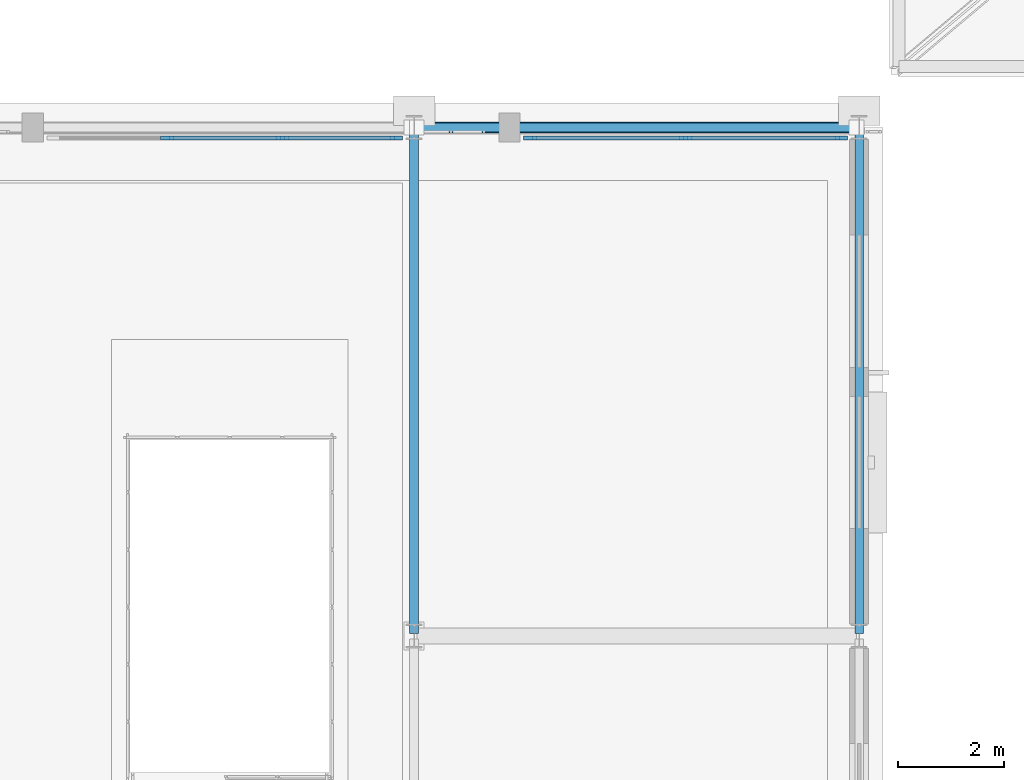
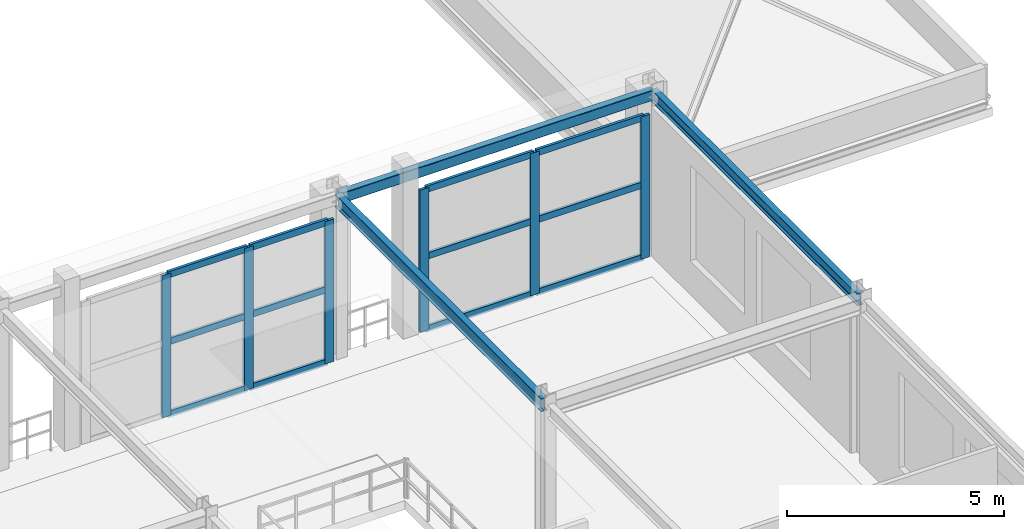
# One storey, part 55 of 125: 18 members, 3 beams, 2 elements without a shape of their own.
"""IFC4 building model written with IfcOpenShell, lengths in metres."""

import ifcopenshell
import ifcopenshell.guid

model = None  # the IFC model being written
_history = None  # IfcOwnerHistory: only IFC2X3 demands one
_inside = {}  # id of a spatial element -> (the spatial element, [elements in it])
_under = {}  # id of a project, library or spatial element -> (it, [spatial elements below it])
_declared = {}  # id of a project -> (the project, [libraries it declares])
_typed = {}  # id of a type object -> (the type object, [elements of that type])
_made_of = {}  # id of a material, layer set ... -> (it, [elements and type objects made of it])


def new_model(schema):
    """Start an empty IFC model of exactly this schema.

    Asked for "IFC4X3", IfcOpenShell would pick the latest addendum, in which some entities
    have other attributes; the version numbers below select the first issue.
    IFC2X3 requires an IfcOwnerHistory on every rooted entity: one is made here for all.
    """
    global model, _history
    if schema == "IFC4X3":
        model = ifcopenshell.file(schema_version=(4, 3, 0, 0))
    else:
        model = ifcopenshell.file(schema=schema)
    _inside.clear()
    _under.clear()
    _declared.clear()
    _typed.clear()
    _made_of.clear()
    _history = None
    if model.schema == "IFC2X3":
        org = make("IfcOrganization", Name="unknown")
        user = make(
            "IfcPersonAndOrganization",
            ThePerson=make("IfcPerson", FamilyName="unknown"),
            TheOrganization=org,
        )
        app = make(
            "IfcApplication",
            ApplicationDeveloper=org,
            Version="unknown",
            ApplicationFullName="unknown",
            ApplicationIdentifier="unknown",
        )
        _history = make(
            "IfcOwnerHistory",
            OwningUser=user,
            OwningApplication=app,
            ChangeAction="ADDED",
            CreationDate=0,
        )
    return model


def make(cls, **values):
    """One entity of the class cls with the attributes given. An attribute that is None is left unset."""
    return model.create_entity(
        cls, **{name: value for name, value in values.items() if value is not None}
    )


def rooted(cls, **values):
    """An entity with a GlobalId (a new one), such as an element, a storey or a relation."""
    return make(cls, GlobalId=ifcopenshell.guid.new(), OwnerHistory=_history, **values)


def si_unit(unit_type, name, prefix=None):
    """IfcSIUnit, for example si_unit("LENGTHUNIT", "METRE", prefix="MILLI")."""
    return make("IfcSIUnit", UnitType=unit_type, Prefix=prefix, Name=name)


def assignment(units):
    """IfcUnitAssignment: the units of a project."""
    return None if units is None else make("IfcUnitAssignment", Units=units)


def point(xyz):
    """IfcCartesianPoint."""
    return None if xyz is None else make("IfcCartesianPoint", Coordinates=xyz)


def direction(xyz):
    """IfcDirection."""
    return None if xyz is None else make("IfcDirection", DirectionRatios=xyz)


def frame(location, z_axis=None, x_axis=None):
    """IfcAxis2Placement3D, a coordinate frame: its origin and axes. An axis left out is left unset."""
    return make(
        "IfcAxis2Placement3D",
        Location=point(location),
        Axis=direction(z_axis),
        RefDirection=direction(x_axis),
    )


def frame_2d(location, x_axis=None):
    """IfcAxis2Placement2D, a coordinate frame in the plane: its origin and x axis."""
    return make(
        "IfcAxis2Placement2D", Location=point(location), RefDirection=direction(x_axis)
    )


def origin():
    """The frame at (0, 0, 0) with its axes left unset."""
    return frame((0.0, 0.0, 0.0))


def origin_2d():
    """The frame at (0, 0) in the plane with its x axis left unset."""
    return frame_2d((0.0, 0.0))


def place(relative_to, where):
    """IfcLocalPlacement: puts the frame where relative to a parent placement (None: the world)."""
    return make(
        "IfcLocalPlacement", PlacementRelTo=relative_to, RelativePlacement=where
    )


def context(
    kind, dimensions, precision=None, world=None, true_north=None, identifier=None
):
    """IfcGeometricRepresentationContext, for example the 3D "Model" context."""
    return make(
        "IfcGeometricRepresentationContext",
        ContextIdentifier=identifier,
        ContextType=kind,
        CoordinateSpaceDimension=dimensions,
        Precision=precision,
        WorldCoordinateSystem=world,
        TrueNorth=true_north,
    )


def subcontext(parent, identifier, kind, view, scale=None):
    """IfcGeometricRepresentationSubContext, for example "Body" below "Model"."""
    return make(
        "IfcGeometricRepresentationSubContext",
        ContextIdentifier=identifier,
        ContextType=kind,
        ParentContext=parent,
        TargetScale=scale,
        TargetView=view,
    )


def project(units=None, contexts=None):
    """IfcProject with its units and contexts."""
    return rooted(
        "IfcProject",
        Name="project",
        RepresentationContexts=contexts,
        UnitsInContext=assignment(units),
    )


def spatial(cls, under=None, at=None, **own):
    """A site, building, storey or space (cls), placed at a placement, below another one or the project."""
    s = rooted(cls, ObjectPlacement=at, **own)
    if under is not None:
        _under.setdefault(under.id(), (under, []))[1].append(s)
    return s


def profile(cls, at=None, kind="AREA", **sizes):
    """A parametric profile (cls). Its sizes go by their IFC names, for example OverallWidth=200.0."""
    return make(cls, ProfileType=kind, Position=at, **sizes)


def rectangle(**sizes):
    """IfcRectangleProfileDef."""
    return profile("IfcRectangleProfileDef", **sizes)


def hollow_rectangle(**sizes):
    """IfcRectangleHollowProfileDef."""
    return profile("IfcRectangleHollowProfileDef", **sizes)


def i_section(**sizes):
    """IfcIShapeProfileDef."""
    return profile("IfcIShapeProfileDef", **sizes)


def extrude(swept, where, along, depth):
    """IfcExtrudedAreaSolid: the profile swept, set in the frame where, extruded along a direction by depth."""
    return make(
        "IfcExtrudedAreaSolid",
        SweptArea=swept,
        Position=where,
        ExtrudedDirection=direction(along),
        Depth=depth,
    )


def shape(context_of_items, identifier, shape_type, items):
    """IfcShapeRepresentation: the items that make up one representation, for example the "Body"."""
    return make(
        "IfcShapeRepresentation",
        ContextOfItems=context_of_items,
        RepresentationIdentifier=identifier,
        RepresentationType=shape_type,
        Items=items,
    )


def material(Name=None, Category=None):
    """IfcMaterial."""
    return make("IfcMaterial", Name=Name, Category=Category)


def layer(
    of_material, thickness, ventilated=None, Name=None, Category=None, Priority=None
):
    """IfcMaterialLayer: one layer of a wall or slab, of a material (None: an air gap)."""
    return make(
        "IfcMaterialLayer",
        Material=of_material,
        LayerThickness=thickness,
        IsVentilated=ventilated,
        Name=Name,
        Category=Category,
        Priority=Priority,
    )


def layer_set(layers, Name=None):
    """IfcMaterialLayerSet."""
    return make("IfcMaterialLayerSet", MaterialLayers=layers, LayerSetName=Name)


def material_profile(
    of_material, cross_section, Name=None, Category=None, Priority=None
):
    """IfcMaterialProfile: a cross section and its material."""
    return make(
        "IfcMaterialProfile",
        Name=Name,
        Material=of_material,
        Profile=cross_section,
        Priority=Priority,
        Category=Category,
    )


def profile_set(profiles, Name=None, composite=None):
    """IfcMaterialProfileSet."""
    return make(
        "IfcMaterialProfileSet",
        Name=Name,
        MaterialProfiles=profiles,
        CompositeProfile=composite,
    )


def made_of(thing, what):
    """Note that an element or type object is made of a material, layer set ...; save() writes the relation."""
    if what is not None:
        _made_of.setdefault(what.id(), (what, []))[1].append(thing)
    return thing


def type_object(cls, material=None, **own):
    """A type object (cls), such as IfcWallType, which elements share."""
    return made_of(rooted(cls, **own), material)


def element(
    cls,
    number,
    at=None,
    inside=None,
    cuts=None,
    type_object=None,
    material=None,
    context=None,
    identifier="Body",
    shape_type=None,
    held_by="IfcProductDefinitionShape",
    body=None,
    shapes=None,
    **own,
):
    """One element of the class cls, such as IfcWall. Its Tag is "e" and its number.

    at: its placement. inside: the storey or other place that contains it. cuts: it is an
    opening in that element (IfcRelVoidsElement). A single representation is given by context,
    identifier, shape_type and body (its items); several are given by shapes. held_by: the class
    of the entity that holds the representations. save() writes the other relations.
    """
    e = rooted(cls, Tag="e%d" % number, ObjectPlacement=at, **own)
    if body is not None:
        shapes = [shape(context, identifier, shape_type, body)]
    if shapes is not None:
        e.Representation = make(held_by, Representations=shapes)
    if inside is not None:
        _inside.setdefault(inside.id(), (inside, []))[1].append(e)
    if cuts is not None:
        rooted(
            "IfcRelVoidsElement", RelatingBuildingElement=cuts, RelatedOpeningElement=e
        )
    if type_object is not None:
        _typed.setdefault(type_object.id(), (type_object, []))[1].append(e)
    return made_of(e, material)


def aggregate(whole, parts):
    """IfcRelAggregates: a whole, such as a stair, and the parts it consists of."""
    return rooted("IfcRelAggregates", RelatingObject=whole, RelatedObjects=parts)


def save(model, path):
    """Write the relations noted so far, then the file.

    IfcRelAggregates (storeys below a building ...), IfcRelContainedInSpatialStructure (elements
    in a storey), IfcRelDefinesByType, IfcRelAssociatesMaterial and IfcRelDeclares: one each for
    every whole, place, type object, material and project.
    """
    for whole, parts in _under.values():
        aggregate(whole, parts)
    for where, things in _inside.values():
        rooted(
            "IfcRelContainedInSpatialStructure",
            RelatedElements=things,
            RelatingStructure=where,
        )
    for kind, things in _typed.values():
        rooted("IfcRelDefinesByType", RelatedObjects=things, RelatingType=kind)
    for what, things in _made_of.values():
        rooted("IfcRelAssociatesMaterial", RelatedObjects=things, RelatingMaterial=what)
    for by, libraries in _declared.values():
        rooted("IfcRelDeclares", RelatingContext=by, RelatedDefinitions=libraries)
    model.write(path)


model = new_model("IFC4")

# Units and contexts
model_context = context("Model", 3, precision=1e-05, world=origin(), true_north=direction((0.0, 1.0)))
body_context = subcontext(model_context, "Body", "Model", "MODEL_VIEW")
ifc_project = project(units=[si_unit("LENGTHUNIT", "METRE"), si_unit("AREAUNIT", "SQUARE_METRE"), si_unit("VOLUMEUNIT", "CUBIC_METRE"), si_unit("PLANEANGLEUNIT", "RADIAN"), si_unit("MASSUNIT", "GRAM", prefix="KILO")], contexts=[model_context])

# Site, building, storey
site_placement = place(None, origin())
site = spatial("IfcSite", under=ifc_project, at=site_placement, CompositionType="ELEMENT")
building_placement = place(site_placement, origin())
building = spatial("IfcBuilding", under=site, at=building_placement, Name="Myrtia Square Station", CompositionType="ELEMENT")
storey_placement = place(building_placement, frame((0.0, 0.0, 6.0)))
storey = spatial("IfcBuildingStorey", under=building, at=storey_placement, Name="L01", CompositionType="ELEMENT", Elevation=6.0)

# Beams
ifc_material_1 = material(Name="Steel S355", Category="steel")
ifc_material_profile_1 = material_profile(ifc_material_1, i_section(OverallWidth=0.159912109375, OverallDepth=0.330078125, WebThickness=0.007568359375, FlangeThickness=0.011474609375, FilletRadius=0.01806640625, at=origin_2d()), Name="IPE 330")
ifc_profile_set_1 = profile_set([ifc_material_profile_1], Name="Steel S355")
beam_type_1 = type_object("IfcBeamType", Name="BM-IPE330", PredefinedType="BEAM", material=ifc_profile_set_1)
beam_1_placement = place(storey_placement, frame((179.39990234375, 28.85009765625, 4.3701171875), z_axis=(0.0, 1.0, 0.0), x_axis=(-1.0, 0.0, 0.0)))
element("IfcBeam", 1, at=beam_1_placement, inside=storey, type_object=beam_type_1, Name="Structural girder BMY-L01-0643", PredefinedType="BEAM", context=body_context, shape_type="SweptSolid", body=[
    extrude(i_section(OverallWidth=0.159912109375, OverallDepth=0.330078125, WebThickness=0.007568359375, FlangeThickness=0.011474609375, FilletRadius=0.01806640625, at=origin_2d()), origin(), (0.0, 0.0, 1.0), 9.5),
])
ifc_material_profile_2 = material_profile(ifc_material_1, i_section(OverallWidth=0.169921875, OverallDepth=0.360107421875, WebThickness=0.008056640625, FlangeThickness=0.0126953125, FilletRadius=0.01806640625, at=origin_2d()), Name="IPE 360")
ifc_profile_set_2 = profile_set([ifc_material_profile_2], Name="Steel S355")
beam_type_2 = type_object("IfcBeamType", Name="BM-IPE360", PredefinedType="BEAM", material=ifc_profile_set_2)
beam_2_placement = place(storey_placement, frame((171.0, 28.85009765625, 4.35498046875), z_axis=(0.0, 1.0, 0.0), x_axis=(-1.0, 0.0, 0.0)))
element("IfcBeam", 2, at=beam_2_placement, inside=storey, type_object=beam_type_2, Name="Structural girder BMY-L01-0639", PredefinedType="BEAM", context=body_context, shape_type="SweptSolid", body=[
    extrude(i_section(OverallWidth=0.169921875, OverallDepth=0.360107421875, WebThickness=0.008056640625, FlangeThickness=0.0126953125, FilletRadius=0.01806640625, at=origin_2d()), origin(), (0.0, 0.0, 1.0), 9.5),
])

# Curtain wall, members
ifc_material_2 = material(Name="Dark bronze anodised aluminium", Category="aluminium")
ifc_layer_1 = layer(ifc_material_2, 0.159912109375, Name="Dark bronze anodised aluminium")
ifc_layer_set_1 = layer_set([ifc_layer_1], Name="Dark bronze anodised aluminium")
curtain_wall_type_1 = type_object("IfcCurtainWallType", Name="CW-TYPE-26-655x400", PredefinedType="USERDEFINED", material=ifc_layer_set_1)
curtain_wall_1_placement = place(storey_placement, origin())
curtain_wall_1 = element("IfcCurtainWall", 3, at=curtain_wall_1_placement, inside=storey, type_object=curtain_wall_type_1, Name="Concourse curtain wall CW-L01-095", ObjectType="CONCOURSE CURTAIN WALL", PredefinedType="USERDEFINED")
ifc_material_profile_3 = material_profile(ifc_material_2, rectangle(XDim=0.074951171875, YDim=0.239990234375, at=origin_2d()), Name="ALU-M 75x240")
ifc_profile_set_3 = profile_set([ifc_material_profile_3], Name="Dark bronze anodised aluminium")
member_type_1 = type_object("IfcMemberType", Name="CWM-75x240", PredefinedType="MULLION", material=ifc_profile_set_3)
member_1_placement = place(storey_placement, frame((166.333251953125, 38.199951171875, 0.0), z_axis=(0.0, 0.0, 1.0), x_axis=(0.0, 1.0, 0.0)))
member_1 = element("IfcMember", 4, at=member_1_placement, type_object=member_type_1, Name="CW-095 mullion 2", PredefinedType="MULLION", context=body_context, shape_type="SweptSolid", body=[
    extrude(rectangle(XDim=0.074951171875, YDim=0.239990234375, at=origin_2d()), origin(), (0.0, 0.0, 1.0), 4.0),
])
member_2_placement = place(storey_placement, frame((168.5166015625, 38.199951171875, 0.0), z_axis=(0.0, 0.0, 1.0), x_axis=(0.0, 1.0, 0.0)))
member_2 = element("IfcMember", 5, at=member_2_placement, type_object=member_type_1, Name="CW-095 mullion 3", PredefinedType="MULLION", context=body_context, shape_type="SweptSolid", body=[
    extrude(rectangle(XDim=0.074951171875, YDim=0.239990234375, at=origin_2d()), origin(), (0.0, 0.0, 1.0), 4.0),
])
member_3_placement = place(storey_placement, frame((170.66259765625, 38.199951171875, 0.0), z_axis=(0.0, 0.0, 1.0), x_axis=(0.0, 1.0, 0.0)))
member_3 = element("IfcMember", 6, at=member_3_placement, type_object=member_type_1, Name="CW-095 mullion 4", PredefinedType="MULLION", context=body_context, shape_type="SweptSolid", body=[
    extrude(rectangle(XDim=0.074951171875, YDim=0.239990234375, at=origin_2d()), origin(), (0.0, 0.0, 1.0), 4.0),
])

ifc_layer_2 = layer(ifc_material_2, 0.159912109375, Name="Dark bronze anodised aluminium")
ifc_layer_set_2 = layer_set([ifc_layer_2], Name="Dark bronze anodised aluminium")
curtain_wall_type_2 = type_object("IfcCurtainWallType", Name="CW-TYPE-25-595x400", PredefinedType="USERDEFINED", material=ifc_layer_set_2)
curtain_wall_2_placement = place(storey_placement, origin())
curtain_wall_2 = element("IfcCurtainWall", 7, at=curtain_wall_2_placement, inside=storey, type_object=curtain_wall_type_2, Name="Concourse curtain wall CW-L01-096", ObjectType="CONCOURSE CURTAIN WALL", PredefinedType="USERDEFINED")
member_4_placement = place(storey_placement, frame((173.1875, 38.199951171875, 0.0), z_axis=(0.0, 0.0, 1.0), x_axis=(0.0, 1.0, 0.0)))
member_4 = element("IfcMember", 8, at=member_4_placement, type_object=member_type_1, Name="CW-096 mullion 1", PredefinedType="MULLION", context=body_context, shape_type="SweptSolid", body=[
    extrude(rectangle(XDim=0.074951171875, YDim=0.239990234375, at=origin_2d()), origin(), (0.0, 0.0, 1.0), 4.0),
])
member_5_placement = place(storey_placement, frame((176.125, 38.199951171875, 0.0), z_axis=(0.0, 0.0, 1.0), x_axis=(0.0, 1.0, 0.0)))
member_5 = element("IfcMember", 9, at=member_5_placement, type_object=member_type_1, Name="CW-096 mullion 2", PredefinedType="MULLION", context=body_context, shape_type="SweptSolid", body=[
    extrude(rectangle(XDim=0.074951171875, YDim=0.239990234375, at=origin_2d()), origin(), (0.0, 0.0, 1.0), 4.0),
])
member_6_placement = place(storey_placement, frame((179.0625, 38.199951171875, 0.0), z_axis=(0.0, 0.0, 1.0), x_axis=(0.0, 1.0, 0.0)))
member_6 = element("IfcMember", 10, at=member_6_placement, type_object=member_type_1, Name="CW-096 mullion 3", PredefinedType="MULLION", context=body_context, shape_type="SweptSolid", body=[
    extrude(rectangle(XDim=0.074951171875, YDim=0.239990234375, at=origin_2d()), origin(), (0.0, 0.0, 1.0), 4.0),
])

# Member
ifc_material_profile_4 = material_profile(ifc_material_2, rectangle(XDim=0.074951171875, YDim=0.179931640625, at=origin_2d()), Name="ALU-T 75x180")
ifc_profile_set_4 = profile_set([ifc_material_profile_4], Name="Dark bronze anodised aluminium")
member_type_2 = type_object("IfcMemberType", Name="CWT-75x180", PredefinedType="USERDEFINED", material=ifc_profile_set_4)
member_7_placement = place(storey_placement, frame((166.370849609375, 38.199951171875, 0.03759765625), z_axis=(1.0, 0.0, 0.0), x_axis=(0.0, 1.0, 0.0)))
member_7 = element("IfcMember", 11, at=member_7_placement, type_object=member_type_2, Name="CW-095 transom 2.1", ObjectType="TRANSOM", PredefinedType="USERDEFINED", context=body_context, shape_type="SweptSolid", body=[
    extrude(rectangle(XDim=0.074951171875, YDim=0.179931640625, at=origin_2d()), origin(), (0.0, 0.0, 1.0), 2.1083984375),
])

member_8_placement = place(storey_placement, frame((166.370849609375, 38.199951171875, 2.080078125), z_axis=(1.0, 0.0, 0.0), x_axis=(0.0, 1.0, 0.0)))
member_8 = element("IfcMember", 12, at=member_8_placement, type_object=member_type_2, Name="CW-095 transom 2.2", ObjectType="TRANSOM", PredefinedType="USERDEFINED", context=body_context, shape_type="SweptSolid", body=[
    extrude(rectangle(XDim=0.074951171875, YDim=0.179931640625, at=origin_2d()), origin(), (0.0, 0.0, 1.0), 2.1083984375),
])

member_9_placement = place(storey_placement, frame((166.370849609375, 38.199951171875, 3.96240234375), z_axis=(1.0, 0.0, 0.0), x_axis=(0.0, 1.0, 0.0)))
member_9 = element("IfcMember", 13, at=member_9_placement, type_object=member_type_2, Name="CW-095 transom 2.3", ObjectType="TRANSOM", PredefinedType="USERDEFINED", context=body_context, shape_type="SweptSolid", body=[
    extrude(rectangle(XDim=0.074951171875, YDim=0.179931640625, at=origin_2d()), origin(), (0.0, 0.0, 1.0), 2.1083984375),
])

member_10_placement = place(storey_placement, frame((168.55419921875, 38.199951171875, 0.03759765625), z_axis=(1.0, 0.0, 0.0), x_axis=(0.0, 1.0, 0.0)))
member_10 = element("IfcMember", 14, at=member_10_placement, type_object=member_type_2, Name="CW-095 transom 3.1", ObjectType="TRANSOM", PredefinedType="USERDEFINED", context=body_context, shape_type="SweptSolid", body=[
    extrude(rectangle(XDim=0.074951171875, YDim=0.179931640625, at=origin_2d()), origin(), (0.0, 0.0, 1.0), 2.07080078125),
])

member_11_placement = place(storey_placement, frame((168.55419921875, 38.199951171875, 2.080078125), z_axis=(1.0, 0.0, 0.0), x_axis=(0.0, 1.0, 0.0)))
member_11 = element("IfcMember", 15, at=member_11_placement, type_object=member_type_2, Name="CW-095 transom 3.2", ObjectType="TRANSOM", PredefinedType="USERDEFINED", context=body_context, shape_type="SweptSolid", body=[
    extrude(rectangle(XDim=0.074951171875, YDim=0.179931640625, at=origin_2d()), origin(), (0.0, 0.0, 1.0), 2.07080078125),
])

member_12_placement = place(storey_placement, frame((168.55419921875, 38.199951171875, 3.96240234375), z_axis=(1.0, 0.0, 0.0), x_axis=(0.0, 1.0, 0.0)))
member_12 = element("IfcMember", 16, at=member_12_placement, type_object=member_type_2, Name="CW-095 transom 3.3", ObjectType="TRANSOM", PredefinedType="USERDEFINED", context=body_context, shape_type="SweptSolid", body=[
    extrude(rectangle(XDim=0.074951171875, YDim=0.179931640625, at=origin_2d()), origin(), (0.0, 0.0, 1.0), 2.07080078125),
])

aggregate(curtain_wall_1, [member_1, member_2, member_3, member_7, member_8, member_9, member_10, member_11, member_12])

member_13_placement = place(storey_placement, frame((173.22509765625, 38.199951171875, 0.03759765625), z_axis=(1.0, 0.0, 0.0), x_axis=(0.0, 1.0, 0.0)))
member_13 = element("IfcMember", 17, at=member_13_placement, type_object=member_type_2, Name="CW-096 transom 1.1", ObjectType="TRANSOM", PredefinedType="USERDEFINED", context=body_context, shape_type="SweptSolid", body=[
    extrude(rectangle(XDim=0.074951171875, YDim=0.179931640625, at=origin_2d()), origin(), (0.0, 0.0, 1.0), 2.8623046875),
])

member_14_placement = place(storey_placement, frame((173.22509765625, 38.199951171875, 2.080078125), z_axis=(1.0, 0.0, 0.0), x_axis=(0.0, 1.0, 0.0)))
member_14 = element("IfcMember", 18, at=member_14_placement, type_object=member_type_2, Name="CW-096 transom 1.2", ObjectType="TRANSOM", PredefinedType="USERDEFINED", context=body_context, shape_type="SweptSolid", body=[
    extrude(rectangle(XDim=0.074951171875, YDim=0.179931640625, at=origin_2d()), origin(), (0.0, 0.0, 1.0), 2.8623046875),
])

member_15_placement = place(storey_placement, frame((173.22509765625, 38.199951171875, 3.96240234375), z_axis=(1.0, 0.0, 0.0), x_axis=(0.0, 1.0, 0.0)))
member_15 = element("IfcMember", 19, at=member_15_placement, type_object=member_type_2, Name="CW-096 transom 1.3", ObjectType="TRANSOM", PredefinedType="USERDEFINED", context=body_context, shape_type="SweptSolid", body=[
    extrude(rectangle(XDim=0.074951171875, YDim=0.179931640625, at=origin_2d()), origin(), (0.0, 0.0, 1.0), 2.8623046875),
])

member_16_placement = place(storey_placement, frame((176.16259765625, 38.199951171875, 0.03759765625), z_axis=(1.0, 0.0, 0.0), x_axis=(0.0, 1.0, 0.0)))
member_16 = element("IfcMember", 20, at=member_16_placement, type_object=member_type_2, Name="CW-096 transom 2.1", ObjectType="TRANSOM", PredefinedType="USERDEFINED", context=body_context, shape_type="SweptSolid", body=[
    extrude(rectangle(XDim=0.074951171875, YDim=0.179931640625, at=origin_2d()), origin(), (0.0, 0.0, 1.0), 2.8623046875),
])

member_17_placement = place(storey_placement, frame((176.16259765625, 38.199951171875, 2.080078125), z_axis=(1.0, 0.0, 0.0), x_axis=(0.0, 1.0, 0.0)))
member_17 = element("IfcMember", 21, at=member_17_placement, type_object=member_type_2, Name="CW-096 transom 2.2", ObjectType="TRANSOM", PredefinedType="USERDEFINED", context=body_context, shape_type="SweptSolid", body=[
    extrude(rectangle(XDim=0.074951171875, YDim=0.179931640625, at=origin_2d()), origin(), (0.0, 0.0, 1.0), 2.8623046875),
])

member_18_placement = place(storey_placement, frame((176.16259765625, 38.199951171875, 3.96240234375), z_axis=(1.0, 0.0, 0.0), x_axis=(0.0, 1.0, 0.0)))
member_18 = element("IfcMember", 22, at=member_18_placement, type_object=member_type_2, Name="CW-096 transom 2.3", ObjectType="TRANSOM", PredefinedType="USERDEFINED", context=body_context, shape_type="SweptSolid", body=[
    extrude(rectangle(XDim=0.074951171875, YDim=0.179931640625, at=origin_2d()), origin(), (0.0, 0.0, 1.0), 2.8623046875),
])

aggregate(curtain_wall_2, [member_4, member_5, member_6, member_13, member_14, member_15, member_16, member_17, member_18])

# Beam
ifc_material_profile_5 = material_profile(ifc_material_1, hollow_rectangle(XDim=0.199951171875, YDim=0.300048828125, WallThickness=0.01611328125, InnerFilletRadius=0.01611328125, OuterFilletRadius=0.031982421875, at=origin_2d()), Name="RHS 300x200x16")
ifc_profile_set_5 = profile_set([ifc_material_profile_5], Name="Steel S355")
beam_type_3 = type_object("IfcBeamType", Name="SPN-RHS300", PredefinedType="SPANDREL", material=ifc_profile_set_5)
beam_3_placement = place(storey_placement, frame((171.050048828125, 38.39990234375, 4.385009765625), z_axis=(1.0, 0.0, 0.0), x_axis=(0.0, 1.0, 0.0)))
element("IfcBeam", 23, at=beam_3_placement, inside=storey, type_object=beam_type_3, Name="Structural girder SPN-L01-0169", PredefinedType="SPANDREL", context=body_context, shape_type="SweptSolid", body=[
    extrude(hollow_rectangle(XDim=0.199951171875, YDim=0.300048828125, WallThickness=0.01611328125, InnerFilletRadius=0.01611328125, OuterFilletRadius=0.031982421875, at=origin_2d()), origin(), (0.0, 0.0, 1.0), 8.300048828125),
])

save(model, "model.ifc")
